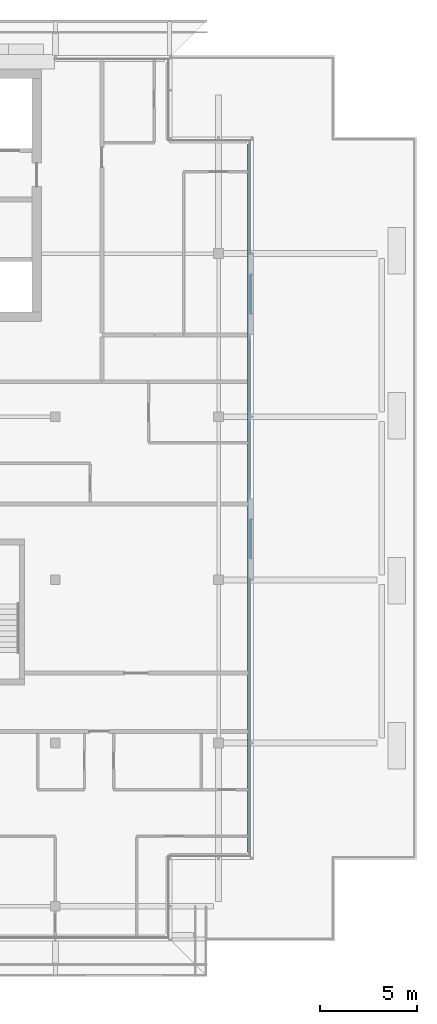
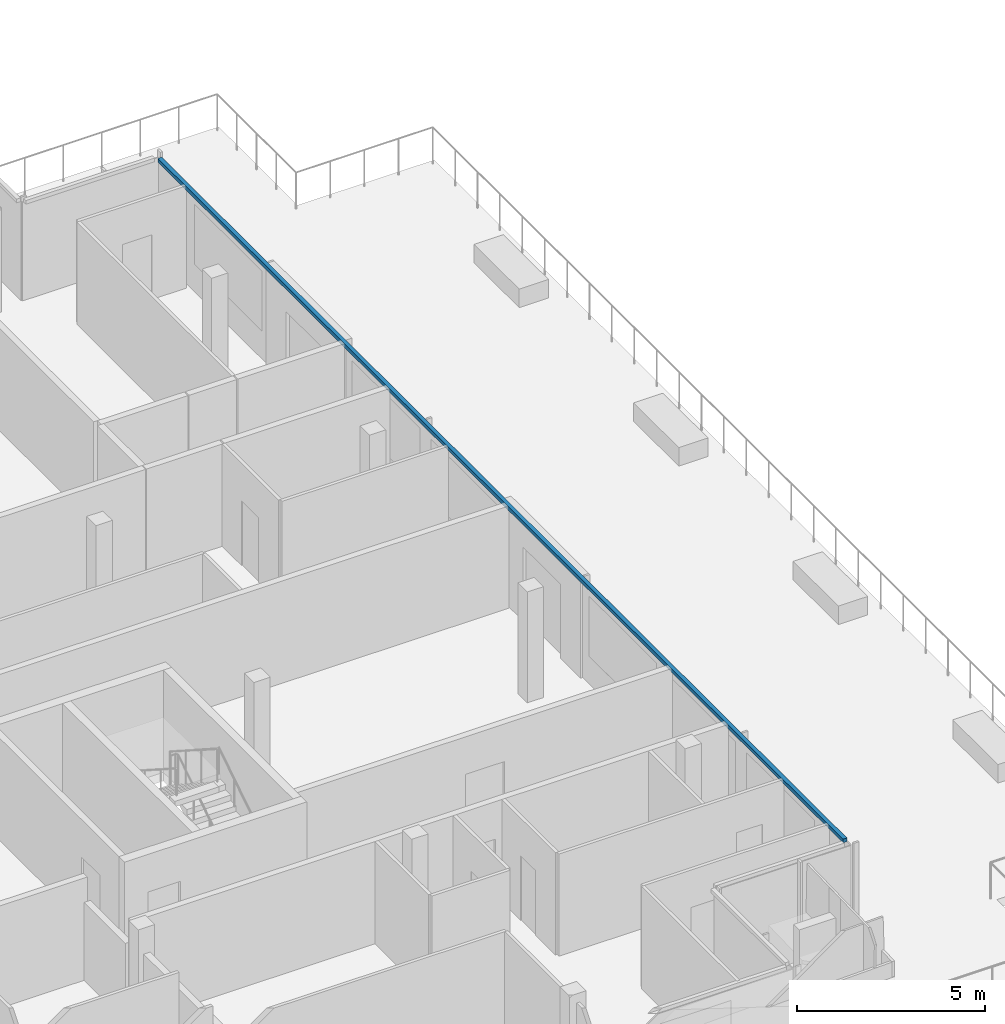
# One storey, part 13 of 29: 1 member, 1 element without a shape of its own.
"""IFC4 building model written with IfcOpenShell, lengths in metres."""

from ifc_helpers import new_model, si_unit, direction, frame, origin, origin_2d, place, context, subcontext, project, spatial, rectangle, extrude, material, material_profile, profile_set, type_object, element, aggregate, save


model = new_model("IFC4")

# Units and contexts
model_context = context("Model", 3, precision=1e-05, world=origin(), true_north=direction((0.0, 1.0)))
body_context = subcontext(model_context, "Body", "Model", "MODEL_VIEW")
ifc_project = project(units=[si_unit("LENGTHUNIT", "METRE"), si_unit("AREAUNIT", "SQUARE_METRE"), si_unit("VOLUMEUNIT", "CUBIC_METRE"), si_unit("PLANEANGLEUNIT", "RADIAN"), si_unit("MASSUNIT", "GRAM", prefix="KILO")], contexts=[model_context])

# Site, building, storey
site_placement = place(None, origin())
site = spatial("IfcSite", under=ifc_project, at=site_placement, CompositionType="ELEMENT")
building_placement = place(site_placement, origin())
building = spatial("IfcBuilding", under=site, at=building_placement, Name="Saffron Gate Tower", CompositionType="ELEMENT")
storey_placement = place(building_placement, frame((0.0, 0.0, 270.75)))
storey = spatial("IfcBuildingStorey", under=building, at=storey_placement, Name="L65", CompositionType="ELEMENT", Elevation=270.75)

# Curtain wall, member
ifc_material = material(Name="Aluminium, bronze anodised", Category="aluminium")
curtain_wall_type = type_object("IfcCurtainWallType", Name="CWS2 curtain wall side facades", PredefinedType="NOTDEFINED", material=ifc_material)
curtain_wall_placement = place(storey_placement, origin())
curtain_wall = element("IfcCurtainWall", 1, at=curtain_wall_placement, inside=storey, type_object=curtain_wall_type, Name="CWS2 run 4", PredefinedType="NOTDEFINED")
ifc_material_profile = material_profile(ifc_material, rectangle(XDim=0.1201171875, YDim=0.1201171875, at=origin_2d()))
ifc_profile_set = profile_set([ifc_material_profile], Name="Aluminium, bronze anodised")
member_type = type_object("IfcMemberType", Name="CWS2 head transom", PredefinedType="USERDEFINED", material=ifc_profile_set)
member_placement = place(storey_placement, frame((118.552001953125, 34.568115234375, 3.260009765625), z_axis=(0.0, 1.0, 0.0), x_axis=(-1.0, 0.0, 0.0)))
member = element("IfcMember", 2, at=member_placement, type_object=member_type, Name="CWS2 head transom", ObjectType="TRANSOM", PredefinedType="USERDEFINED", context=body_context, shape_type="SweptSolid", body=[
    extrude(rectangle(XDim=0.1201171875, YDim=0.1201171875, at=origin_2d()), origin(), (0.0, 0.0, 1.0), 36.4638671875),
])
aggregate(curtain_wall, [member])

save(model, "model.ifc")
